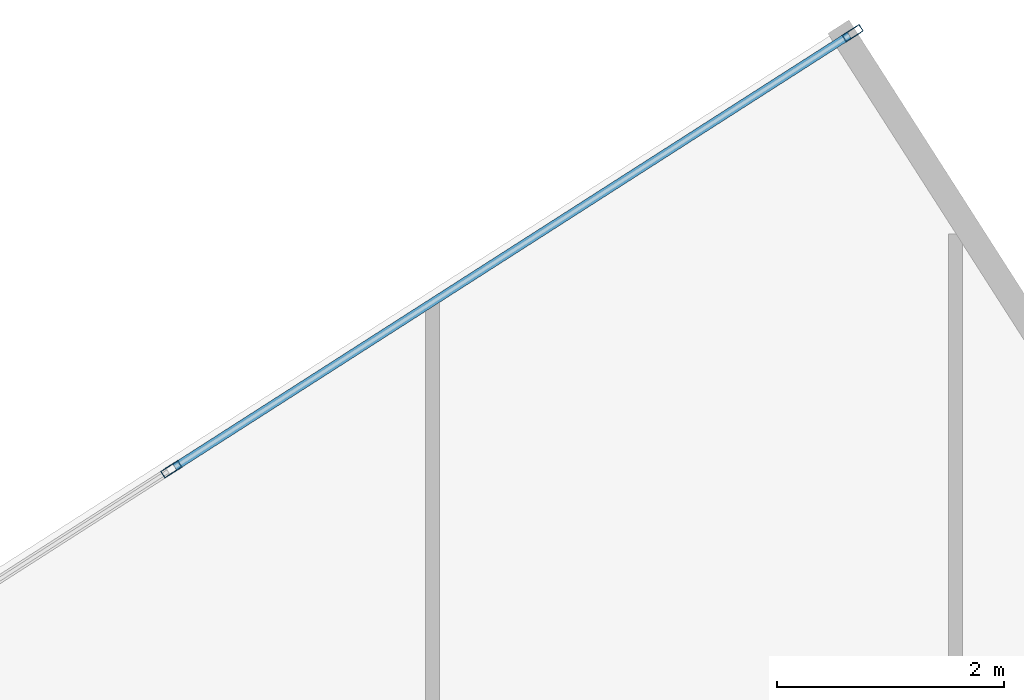
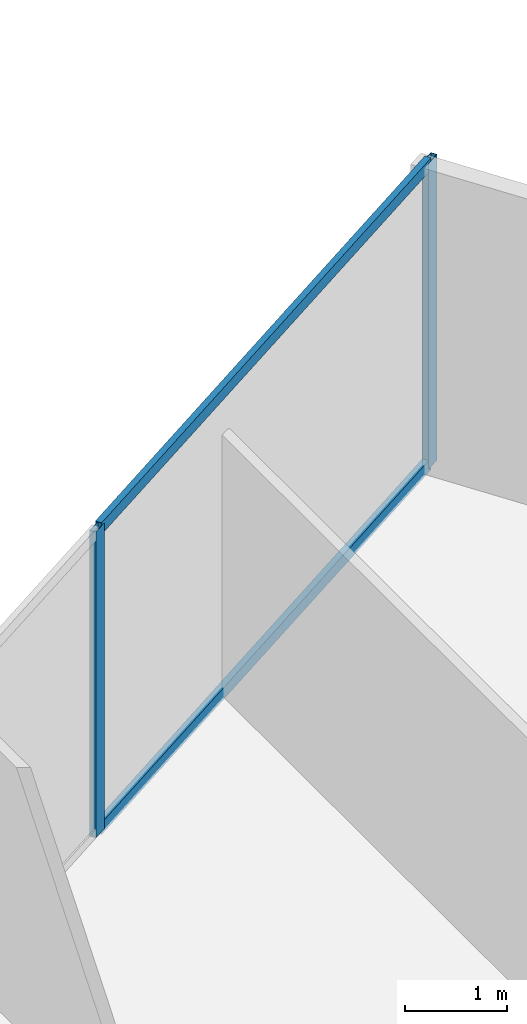
# One storey, part 14 of 20: 4 members, 1 element without a shape of its own.
"""IFC4 building model written with IfcOpenShell, lengths in metres."""

from ifc_helpers import new_model, si_unit, direction, frame, origin, origin_2d, place, context, subcontext, project, spatial, hollow_rectangle, extrude, source, transform, mapped, material, material_profile, profile_set, type_object, type_shapes, element, aggregate, save


model = new_model("IFC4")

# Units and contexts
model_context = context("Model", 3, precision=1e-05, world=origin(), true_north=direction((0.0, 1.0)))
body_context = subcontext(model_context, "Body", "Model", "MODEL_VIEW")
ifc_project = project(units=[si_unit("LENGTHUNIT", "METRE"), si_unit("AREAUNIT", "SQUARE_METRE"), si_unit("VOLUMEUNIT", "CUBIC_METRE"), si_unit("PLANEANGLEUNIT", "RADIAN"), si_unit("MASSUNIT", "GRAM", prefix="KILO")], contexts=[model_context])

# Site, building, storey
site_placement = place(None, origin())
site = spatial("IfcSite", under=ifc_project, at=site_placement, CompositionType="ELEMENT")
building_placement = place(site_placement, origin())
building = spatial("IfcBuilding", under=site, at=building_placement, Name="Krantzveldt Concourse Tower", CompositionType="ELEMENT")
storey_placement = place(building_placement, frame((0.0, 0.0, 283.199951171875)))
storey = spatial("IfcBuildingStorey", under=building, at=storey_placement, Name="L69", CompositionType="ELEMENT", Elevation=283.199951171875)

# Curtain wall, members
ifc_material = material(Name="Anodised aluminium 6063-T6", Category="aluminium")
curtain_wall_type = type_object("IfcCurtainWallType", Name="CW4", PredefinedType="USERDEFINED", material=ifc_material)
curtain_wall_placement = place(storey_placement, origin())
curtain_wall = element("IfcCurtainWall", 1, at=curtain_wall_placement, inside=storey, type_object=curtain_wall_type, Name="CW-L69-F01", ObjectType="UNITISED CURTAIN WALL", PredefinedType="USERDEFINED")
ifc_material_profile_1 = material_profile(ifc_material, hollow_rectangle(XDim=0.070068359375, YDim=0.179931640625, WallThickness=0.0048828125, at=origin_2d()), Name="Anodised aluminium 6063-T6", Category="aluminium")
ifc_profile_set_1 = profile_set([ifc_material_profile_1], Name="Anodised aluminium 6063-T6 - ALU-MULL 180x70x5")
member_type_1 = type_object("IfcMemberType", Name="CW-MUL-180", PredefinedType="MULLION", material=ifc_profile_set_1)
shared_shape_1 = source(origin(), body_context, "Body", "SweptSolid", [
    extrude(hollow_rectangle(XDim=0.070068359375, YDim=0.179931640625, WallThickness=0.0048828125, at=origin_2d()), origin(), (0.0, 0.0, 1.0), 3.670166015625),
])
type_shapes(member_type_1, [shared_shape_1])
member_1_placement = place(storey_placement, frame((37.49560546875, 50.822509765625, 0.0), z_axis=(0.0, 0.0, 1.0), x_axis=(0.53913830827, -0.842217243088, 0.0)))
member_1 = element("IfcMember", 2, at=member_1_placement, type_object=member_type_1, Name="CW-Z56 mullion 1", PredefinedType="MULLION", context=body_context, shape_type="MappedRepresentation", body=[
    mapped(shared_shape_1, transform((0.0, 0.0, 0.0), x_axis=(1.0, 0.0, 0.0), y_axis=(0.0, 1.0, 0.0), z_axis=(0.0, 0.0, 1.0), scale=1.0)),
])
member_2_placement = place(storey_placement, frame((31.503173828125, 46.986572265625, 0.0), z_axis=(0.0, 0.0, 1.0), x_axis=(0.53913830827, -0.842217243088, 0.0)))
member_2 = element("IfcMember", 3, at=member_2_placement, type_object=member_type_1, Name="CW-Z56 mullion 2", PredefinedType="MULLION", context=body_context, shape_type="MappedRepresentation", body=[
    mapped(shared_shape_1, transform((0.0, 0.0, 0.0), x_axis=(1.0, 0.0, 0.0), y_axis=(0.0, 1.0, 0.0), z_axis=(0.0, 0.0, 1.0), scale=1.0)),
])
ifc_material_profile_2 = material_profile(ifc_material, hollow_rectangle(XDim=0.070068359375, YDim=0.139892578125, WallThickness=0.0048828125, at=origin_2d()), Name="Anodised aluminium 6063-T6", Category="aluminium")
ifc_profile_set_2 = profile_set([ifc_material_profile_2], Name="Anodised aluminium 6063-T6 - ALU-TRAN 140x70x5")
member_type_2 = type_object("IfcMemberType", Name="CW-TRN-150", PredefinedType="USERDEFINED", material=ifc_profile_set_2)
shared_shape_2 = source(origin(), body_context, "Body", "SweptSolid", [
    extrude(hollow_rectangle(XDim=0.070068359375, YDim=0.139892578125, WallThickness=0.0048828125, at=origin_2d()), origin(), (0.0, 0.0, 1.0), 7.044921875),
])
type_shapes(member_type_2, [shared_shape_2])
member_3_placement = place(storey_placement, frame((37.466064453125, 50.8037109375, 0.03515625), z_axis=(-0.842207199378, -0.539153997775, 0.0), x_axis=(0.539153997775, -0.842207199378, 0.0)))
member_3 = element("IfcMember", 4, at=member_3_placement, type_object=member_type_2, Name="CW-Z56 transom 1.1", ObjectType="TRANSOM", PredefinedType="USERDEFINED", context=body_context, shape_type="MappedRepresentation", body=[
    mapped(shared_shape_2, transform((0.0, 0.0, 0.0), x_axis=(1.0, 0.0, 0.0), y_axis=(0.0, 1.0, 0.0), z_axis=(0.0, 0.0, 1.0), scale=1.0)),
])
member_4_placement = place(storey_placement, frame((37.466064453125, 50.8037109375, 3.635009765625), z_axis=(-0.842207199378, -0.539153997775, 0.0), x_axis=(0.539153997775, -0.842207199378, 0.0)))
member_4 = element("IfcMember", 5, at=member_4_placement, type_object=member_type_2, Name="CW-Z56 transom 1.2", ObjectType="TRANSOM", PredefinedType="USERDEFINED", context=body_context, shape_type="MappedRepresentation", body=[
    mapped(shared_shape_2, transform((0.0, 0.0, 0.0), x_axis=(1.0, 0.0, 0.0), y_axis=(0.0, 1.0, 0.0), z_axis=(0.0, 0.0, 1.0), scale=1.0)),
])
aggregate(curtain_wall, [member_1, member_2, member_3, member_4])

save(model, "model.ifc")
